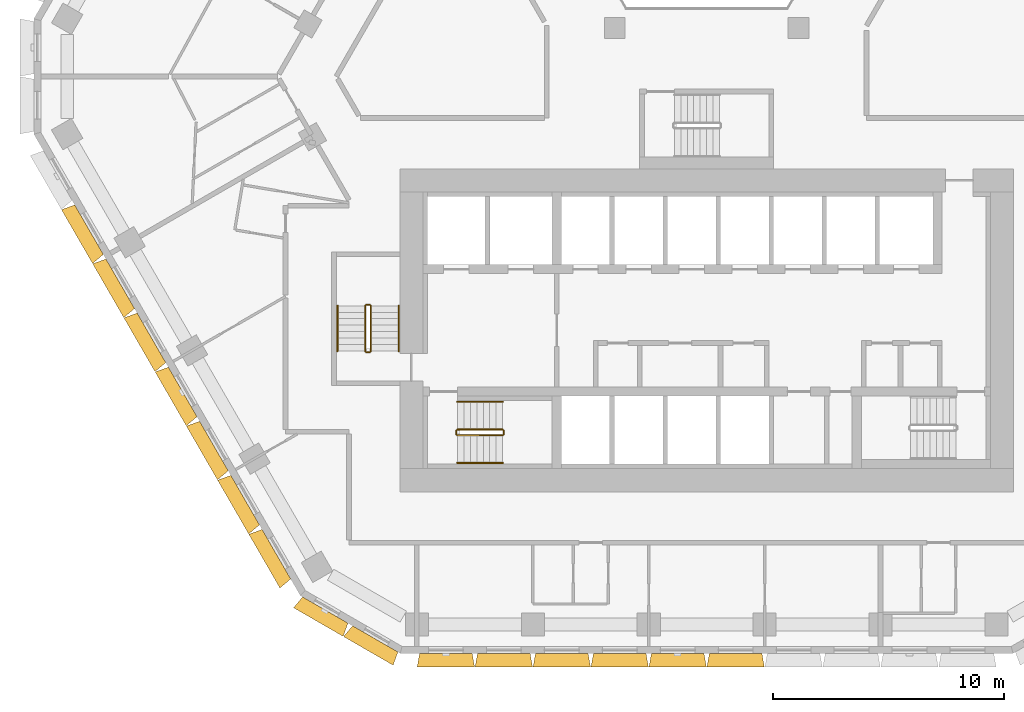
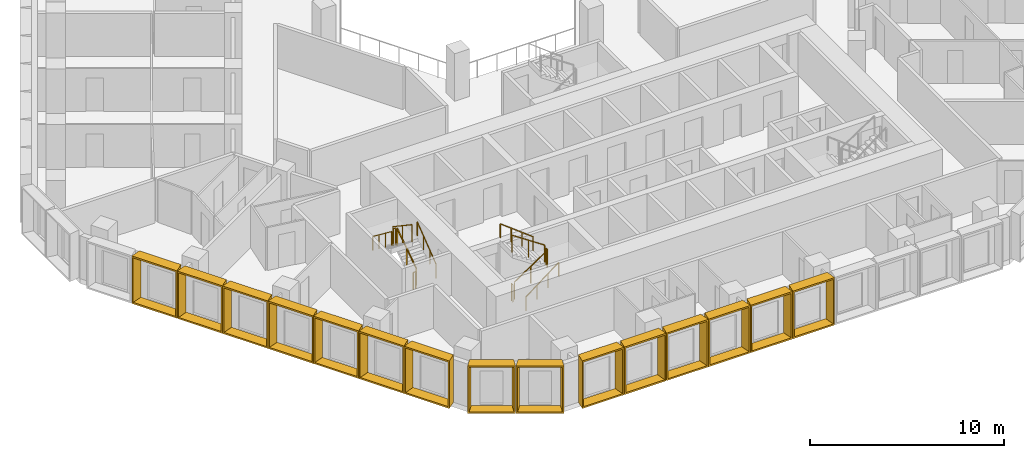
# One storey, part 15 of 18: 15 shading devices, 12 railings.
"""IFC4 building model written with IfcOpenShell, lengths in metres."""

from ifc_helpers import new_model, entity, si_unit, direction, frame, origin, origin_2d, place, context, subcontext, project, spatial, rectangle, extrude, source, transform, mapped, material, type_object, type_shapes, element, save


model = new_model("IFC4")

# Units and contexts
model_context = context("Model", 3, precision=1e-05, world=origin(), true_north=direction((0.0, 1.0)))
body_context = subcontext(model_context, "Body", "Model", "MODEL_VIEW")
ifc_project = project(units=[si_unit("LENGTHUNIT", "METRE"), si_unit("AREAUNIT", "SQUARE_METRE"), si_unit("VOLUMEUNIT", "CUBIC_METRE"), si_unit("PLANEANGLEUNIT", "RADIAN"), si_unit("MASSUNIT", "GRAM", prefix="KILO")], contexts=[model_context])

# Site, building, storey
site_placement = place(None, origin())
site = spatial("IfcSite", under=ifc_project, at=site_placement, CompositionType="ELEMENT")
building_placement = place(site_placement, origin())
building = spatial("IfcBuilding", under=site, at=building_placement, Name="Beryl Residences", CompositionType="ELEMENT")
storey_placement = place(building_placement, frame((0.0, 0.0, 93.0)))
storey = spatial("IfcBuildingStorey", under=building, at=storey_placement, Name="L28", CompositionType="ELEMENT", Elevation=93.0)

# Shading devices
ifc_material_1 = material(Name="Aluminium pale anodised", Category="aluminium")
shading_device_type_1 = type_object("IfcShadingDeviceType", Name="FR250-60A OUTER SKIN frame 600 mm deep, splay 10/10 deg, 2500 x 3000 mm cell", PredefinedType="USERDEFINED", material=ifc_material_1)
cartesian_point_1 = entity("IfcCartesianPoint", [-1.134033203125, 0.0])
cartesian_point_2 = entity("IfcCartesianPoint", [-1.052734375, 0.10009765625])
cartesian_point_3 = entity("IfcCartesianPoint", [-1.23974609375, 0.0])
cartesian_point_4 = entity("IfcCartesianPoint", [-1.158447265625, 0.10009765625])
shared_shape_1 = source(origin(), body_context, "Body", "SweptSolid", [
    entity("IfcExtrudedAreaSolidTapered", entity("IfcArbitraryProfileDefWithVoids", "AREA", None, entity("IfcPolyline", [cartesian_point_1, entity("IfcCartesianPoint", [1.134033203125, 0.0]), entity("IfcCartesianPoint", [1.134033203125, 3.0]), entity("IfcCartesianPoint", [-1.134033203125, 3.0]), cartesian_point_1]), [entity("IfcPolyline", [cartesian_point_2, entity("IfcCartesianPoint", [1.052734375, 0.10009765625]), entity("IfcCartesianPoint", [1.052734375, 2.89990234375]), entity("IfcCartesianPoint", [-1.052734375, 2.89990234375]), cartesian_point_2])]), entity("IfcAxis2Placement3D", entity("IfcCartesianPoint", [0.0, 0.0, 0.0]), entity("IfcDirection", [0.0, 1.0, 0.0]), entity("IfcDirection", [-1.0, 0.0, 0.0])), entity("IfcDirection", [0.0, 0.0, 1.0]), 0.60009765625, entity("IfcArbitraryProfileDefWithVoids", "AREA", None, entity("IfcPolyline", [cartesian_point_3, entity("IfcCartesianPoint", [1.23974609375, 0.0]), entity("IfcCartesianPoint", [1.23974609375, 3.0]), entity("IfcCartesianPoint", [-1.23974609375, 3.0]), cartesian_point_3]), [entity("IfcPolyline", [cartesian_point_4, entity("IfcCartesianPoint", [1.158447265625, 0.10009765625]), entity("IfcCartesianPoint", [1.158447265625, 2.89990234375]), entity("IfcCartesianPoint", [-1.158447265625, 2.89990234375]), cartesian_point_4])])),
])
type_shapes(shading_device_type_1, [shared_shape_1])
for number, where, z_axis, x_axis, name in (
    (1, (-16.527099609375, -24.125, 0.0), (0.0, 0.0, 1.0), (-0.866025403784, 0.5, 0.0), "FR250-60A frame L28 SW-S 1"),
    (2, (-14.361083984375, -25.375, 0.0), (0.0, 0.0, 1.0), (-0.866025403784, 0.5, 0.0), "FR250-60A frame L28 SW-S 2"),
):
    element("IfcShadingDevice", number, at=place(storey_placement, frame(where, z_axis=z_axis, x_axis=x_axis)), inside=storey, type_object=shading_device_type_1, Name=name, ObjectType="OUTER SKIN", PredefinedType="USERDEFINED", context=body_context, shape_type="MappedRepresentation", body=[
        mapped(shared_shape_1, transform((0.0, 0.0, 0.0))),
    ])
ifc_material_2 = material(Name="Aluminium pale anodised", Category="aluminium")
shading_device_type_2 = type_object("IfcShadingDeviceType", Name="FR251-60A OUTER SKIN frame 600 mm deep, splay 10/10 deg, 2510 x 3000 mm cell", PredefinedType="USERDEFINED", material=ifc_material_2)
cartesian_point_5 = entity("IfcCartesianPoint", [-1.138916015625, 0.0])
cartesian_point_6 = entity("IfcCartesianPoint", [-1.057861328125, 0.10009765625])
cartesian_point_7 = entity("IfcCartesianPoint", [-1.244873046875, 0.0])
cartesian_point_8 = entity("IfcCartesianPoint", [-1.16357421875, 0.10009765625])
shared_shape_2 = source(origin(), body_context, "Body", "SweptSolid", [
    entity("IfcExtrudedAreaSolidTapered", entity("IfcArbitraryProfileDefWithVoids", "AREA", None, entity("IfcPolyline", [cartesian_point_5, entity("IfcCartesianPoint", [1.138916015625, 0.0]), entity("IfcCartesianPoint", [1.138916015625, 3.0]), entity("IfcCartesianPoint", [-1.138916015625, 3.0]), cartesian_point_5]), [entity("IfcPolyline", [cartesian_point_6, entity("IfcCartesianPoint", [1.057861328125, 0.10009765625]), entity("IfcCartesianPoint", [1.057861328125, 2.89990234375]), entity("IfcCartesianPoint", [-1.057861328125, 2.89990234375]), cartesian_point_6])]), entity("IfcAxis2Placement3D", entity("IfcCartesianPoint", [0.0, 0.0, 0.0]), entity("IfcDirection", [0.0, 1.0, 0.0]), entity("IfcDirection", [-1.0, 0.0, 0.0])), entity("IfcDirection", [0.0, 0.0, 1.0]), 0.60009765625, entity("IfcArbitraryProfileDefWithVoids", "AREA", None, entity("IfcPolyline", [cartesian_point_7, entity("IfcCartesianPoint", [1.244873046875, 0.0]), entity("IfcCartesianPoint", [1.244873046875, 3.0]), entity("IfcCartesianPoint", [-1.244873046875, 3.0]), cartesian_point_7]), [entity("IfcPolyline", [cartesian_point_8, entity("IfcCartesianPoint", [1.16357421875, 0.10009765625]), entity("IfcCartesianPoint", [1.16357421875, 2.89990234375]), entity("IfcCartesianPoint", [-1.16357421875, 2.89990234375]), cartesian_point_8])])),
])
type_shapes(shading_device_type_2, [shared_shape_2])
for number, where, z_axis, x_axis, name in (
    (3, (-11.301025390625, -26.0, 0.0), (0.0, 0.0, 1.0), (-1.0, 0.0, 0.0), "FR251-60A frame L28 S 1"),
    (4, (-8.7900390625, -26.0, 0.0), (0.0, 0.0, 1.0), (-1.0, 0.0, 0.0), "FR251-60A frame L28 S 2"),
    (5, (-6.278076171875, -26.0, 0.0), (0.0, 0.0, 1.0), (-1.0, 0.0, 0.0), "FR251-60A frame L28 S 3"),
    (6, (-3.76708984375, -26.0, 0.0), (0.0, 0.0, 1.0), (-1.0, 0.0, 0.0), "FR251-60A frame L28 S 4"),
    (7, (-1.2548828125, -26.0, 0.0), (0.0, 0.0, 1.0), (-1.0, 0.0, 0.0), "FR251-60A frame L28 S 5"),
    (8, (1.256103515625, -26.0, 0.0), (0.0, 0.0, 1.0), (-1.0, 0.0, 0.0), "FR251-60A frame L28 S 6"),
):
    element("IfcShadingDevice", number, at=place(storey_placement, frame(where, z_axis=z_axis, x_axis=x_axis)), inside=storey, type_object=shading_device_type_2, Name=name, ObjectType="OUTER SKIN", PredefinedType="USERDEFINED", context=body_context, shape_type="MappedRepresentation", body=[
        mapped(shared_shape_2, transform((0.0, 0.0, 0.0))),
    ])
ifc_material_3 = material(Name="Aluminium pale anodised", Category="aluminium")
shading_device_type_3 = type_object("IfcShadingDeviceType", Name="FR271-60A OUTER SKIN frame 600 mm deep, splay 10/10 deg, 2710 x 3000 mm cell", PredefinedType="USERDEFINED", material=ifc_material_3)
cartesian_point_9 = entity("IfcCartesianPoint", [-1.239013671875, 0.0])
cartesian_point_10 = entity("IfcCartesianPoint", [-1.15771484375, 0.10009765625])
cartesian_point_11 = entity("IfcCartesianPoint", [-1.3447265625, 0.0])
cartesian_point_12 = entity("IfcCartesianPoint", [-1.263671875, 0.10009765625])
shared_shape_3 = source(origin(), body_context, "Body", "SweptSolid", [
    entity("IfcExtrudedAreaSolidTapered", entity("IfcArbitraryProfileDefWithVoids", "AREA", None, entity("IfcPolyline", [cartesian_point_9, entity("IfcCartesianPoint", [1.239013671875, 0.0]), entity("IfcCartesianPoint", [1.239013671875, 3.0]), entity("IfcCartesianPoint", [-1.239013671875, 3.0]), cartesian_point_9]), [entity("IfcPolyline", [cartesian_point_10, entity("IfcCartesianPoint", [1.15771484375, 0.10009765625]), entity("IfcCartesianPoint", [1.15771484375, 2.89990234375]), entity("IfcCartesianPoint", [-1.15771484375, 2.89990234375]), cartesian_point_10])]), entity("IfcAxis2Placement3D", entity("IfcCartesianPoint", [0.0, 0.0, 0.0]), entity("IfcDirection", [0.0, 1.0, 0.0]), entity("IfcDirection", [-1.0, 0.0, 0.0])), entity("IfcDirection", [0.0, 0.0, 1.0]), 0.60009765625, entity("IfcArbitraryProfileDefWithVoids", "AREA", None, entity("IfcPolyline", [cartesian_point_11, entity("IfcCartesianPoint", [1.3447265625, 0.0]), entity("IfcCartesianPoint", [1.3447265625, 3.0]), entity("IfcCartesianPoint", [-1.3447265625, 3.0]), cartesian_point_11]), [entity("IfcPolyline", [cartesian_point_12, entity("IfcCartesianPoint", [1.263671875, 0.10009765625]), entity("IfcCartesianPoint", [1.263671875, 2.89990234375]), entity("IfcCartesianPoint", [-1.263671875, 2.89990234375]), cartesian_point_12])])),
])
type_shapes(shading_device_type_3, [shared_shape_3])
for number, where, z_axis, x_axis, name in (
    (9, (-26.76611328125, -7.639892578125, 0.0), (0.0, 0.0, 1.0), (-0.5, 0.866025403784, 0.0), "FR271-60A frame L28 SW 2"),
    (10, (-25.4130859375, -9.98388671875, 0.0), (0.0, 0.0, 1.0), (-0.5, 0.866025403784, 0.0), "FR271-60A frame L28 SW 3"),
    (11, (-24.06005859375, -12.327880859375, 0.0), (0.0, 0.0, 1.0), (-0.5, 0.866025403784, 0.0), "FR271-60A frame L28 SW 4"),
    (12, (-22.7060546875, -14.672119140625, 0.0), (0.0, 0.0, 1.0), (-0.5, 0.866025403784, 0.0), "FR271-60A frame L28 SW 5"),
    (13, (-21.35302734375, -17.01611328125, 0.0), (0.0, 0.0, 1.0), (-0.5, 0.866025403784, 0.0), "FR271-60A frame L28 SW 6"),
    (14, (-20.0, -19.360107421875, 0.0), (0.0, 0.0, 1.0), (-0.5, 0.866025403784, 0.0), "FR271-60A frame L28 SW 7"),
    (15, (-18.64697265625, -21.7041015625, 0.0), (0.0, 0.0, 1.0), (-0.5, 0.866025403784, 0.0), "FR271-60A frame L28 SW 8"),
):
    element("IfcShadingDevice", number, at=place(storey_placement, frame(where, z_axis=z_axis, x_axis=x_axis)), inside=storey, type_object=shading_device_type_3, Name=name, ObjectType="OUTER SKIN", PredefinedType="USERDEFINED", context=body_context, shape_type="MappedRepresentation", body=[
        mapped(shared_shape_3, transform((0.0, 0.0, 0.0))),
    ])

# Railings
ifc_material_4 = material(Name="Stainless steel balustrade with glass infill", Category="steel")
railing_type_1 = type_object("IfcRailingType", Name="SG1 stair guard 1100 mm", PredefinedType="GUARDRAIL", material=ifc_material_4)
railing_1_placement = place(storey_placement, frame((-10.800048828125, -16.550048828125, 0.1875)))
element("IfcRailing", 16, at=railing_1_placement, inside=storey, type_object=railing_type_1, Name="L28 ST-1 stair guard 1", PredefinedType="GUARDRAIL", context=body_context, shape_type="SweptSolid", body=[
    extrude(rectangle(XDim=0.048095703125, YDim=0.048095703125, at=origin_2d()), frame((0.0, 0.0, 1.076171875), z_axis=(0.830902050051, 0.0, 0.556418712142), x_axis=(0.0, 1.0, 0.0)), (0.0, 0.0, 1.0), 2.35888671875),
    extrude(rectangle(XDim=0.0419921875, YDim=0.0419921875, at=origin_2d()), origin(), (0.0, 0.0, 1.0), 1.052001953125),
    extrude(rectangle(XDim=0.0419921875, YDim=0.0419921875, at=origin_2d()), frame((0.97998046875, 0.0, 0.65625)), (0.0, 0.0, 1.0), 1.052001953125),
    extrude(rectangle(XDim=0.0419921875, YDim=0.0419921875, at=origin_2d()), frame((1.9599609375, 0.0, 1.3125)), (0.0, 0.0, 1.0), 1.052001953125),
])
railing_2_placement = place(storey_placement, frame((-8.7900390625, -16.5, 1.5)))
element("IfcRailing", 17, at=railing_2_placement, inside=storey, type_object=railing_type_1, Name="L28 ST-1 stair guard 2", PredefinedType="GUARDRAIL", context=body_context, shape_type="SweptSolid", body=[
    extrude(rectangle(XDim=0.048095703125, YDim=0.048095703125, at=origin_2d()), frame((0.0, 0.0, 1.076171875), z_axis=(0.0, 1.0, 0.0), x_axis=(-1.0, 0.0, 0.0)), (0.0, 0.0, 1.0), 0.14990234375),
    extrude(rectangle(XDim=0.0419921875, YDim=0.0419921875, at=origin_2d()), origin(), (0.0, 0.0, 1.0), 1.052001953125),
    extrude(rectangle(XDim=0.0419921875, YDim=0.0419921875, at=origin_2d()), frame((0.0, 0.14990234375, 0.0)), (0.0, 0.0, 1.0), 1.052001953125),
])
railing_3_placement = place(storey_placement, frame((-8.840087890625, -16.300048828125, 1.6875)))
element("IfcRailing", 18, at=railing_3_placement, inside=storey, type_object=railing_type_1, Name="L28 ST-1 stair guard 3", PredefinedType="GUARDRAIL", context=body_context, shape_type="SweptSolid", body=[
    extrude(rectangle(XDim=0.048095703125, YDim=0.048095703125, at=origin_2d()), frame((0.0, 0.0, 1.076171875), z_axis=(-0.830902050051, 0.0, 0.556418712142), x_axis=(0.0, -1.0, 0.0)), (0.0, 0.0, 1.0), 2.35888671875),
    extrude(rectangle(XDim=0.0419921875, YDim=0.0419921875, at=origin_2d()), origin(), (0.0, 0.0, 1.0), 1.052001953125),
    extrude(rectangle(XDim=0.0419921875, YDim=0.0419921875, at=origin_2d()), frame((-0.97998046875, 0.0, 0.65625)), (0.0, 0.0, 1.0), 1.052001953125),
    extrude(rectangle(XDim=0.0419921875, YDim=0.0419921875, at=origin_2d()), frame((-1.9599609375, 0.0, 1.3125)), (0.0, 0.0, 1.0), 1.052001953125),
])
railing_4_placement = place(storey_placement, frame((-10.85009765625, -16.5, 0.0)))
element("IfcRailing", 19, at=railing_4_placement, inside=storey, type_object=railing_type_1, Name="L28 ST-1 stair guard 4", PredefinedType="GUARDRAIL", context=body_context, shape_type="SweptSolid", body=[
    extrude(rectangle(XDim=0.048095703125, YDim=0.048095703125, at=origin_2d()), frame((0.0, 0.0, 1.076171875), z_axis=(0.0, 1.0, 0.0), x_axis=(-1.0, 0.0, 0.0)), (0.0, 0.0, 1.0), 0.14990234375),
    extrude(rectangle(XDim=0.0419921875, YDim=0.0419921875, at=origin_2d()), origin(), (0.0, 0.0, 1.0), 1.052001953125),
    extrude(rectangle(XDim=0.0419921875, YDim=0.0419921875, at=origin_2d()), frame((0.0, 0.14990234375, 0.0)), (0.0, 0.0, 1.0), 1.052001953125),
])
railing_5_placement = place(storey_placement, frame((-14.550048828125, -12.89990234375, 0.1875)))
element("IfcRailing", 20, at=railing_5_placement, inside=storey, type_object=railing_type_1, Name="L28 ST-2 stair guard 1", PredefinedType="GUARDRAIL", context=body_context, shape_type="SweptSolid", body=[
    extrude(rectangle(XDim=0.048095703125, YDim=0.048095703125, at=origin_2d()), frame((0.0, 0.0, 1.076171875), z_axis=(0.0, 0.830902050051, 0.556418712142), x_axis=(-1.0, 0.0, 0.0)), (0.0, 0.0, 1.0), 2.35888671875),
    extrude(rectangle(XDim=0.0419921875, YDim=0.0419921875, at=origin_2d()), origin(), (0.0, 0.0, 1.0), 1.052001953125),
    extrude(rectangle(XDim=0.0419921875, YDim=0.0419921875, at=origin_2d()), frame((0.0, 0.97998046875, 0.65625)), (0.0, 0.0, 1.0), 1.052001953125),
    extrude(rectangle(XDim=0.0419921875, YDim=0.0419921875, at=origin_2d()), frame((0.0, 1.9599609375, 1.3125)), (0.0, 0.0, 1.0), 1.052001953125),
])
railing_6_placement = place(storey_placement, frame((-14.60009765625, -10.889892578125, 1.5)))
element("IfcRailing", 21, at=railing_6_placement, inside=storey, type_object=railing_type_1, Name="L28 ST-2 stair guard 2", PredefinedType="GUARDRAIL", context=body_context, shape_type="SweptSolid", body=[
    extrude(rectangle(XDim=0.048095703125, YDim=0.048095703125, at=origin_2d()), frame((0.0, 0.0, 1.076171875), z_axis=(-1.0, 0.0, 0.0), x_axis=(0.0, -1.0, 0.0)), (0.0, 0.0, 1.0), 0.14990234375),
    extrude(rectangle(XDim=0.0419921875, YDim=0.0419921875, at=origin_2d()), origin(), (0.0, 0.0, 1.0), 1.052001953125),
    extrude(rectangle(XDim=0.0419921875, YDim=0.0419921875, at=origin_2d()), frame((-0.14990234375, 0.0, 0.0)), (0.0, 0.0, 1.0), 1.052001953125),
])
railing_7_placement = place(storey_placement, frame((-14.800048828125, -10.93994140625, 1.6875)))
element("IfcRailing", 22, at=railing_7_placement, inside=storey, type_object=railing_type_1, Name="L28 ST-2 stair guard 3", PredefinedType="GUARDRAIL", context=body_context, shape_type="SweptSolid", body=[
    extrude(rectangle(XDim=0.048095703125, YDim=0.048095703125, at=origin_2d()), frame((0.0, 0.0, 1.076171875), z_axis=(0.0, -0.830902050051, 0.556418712142), x_axis=(1.0, 0.0, 0.0)), (0.0, 0.0, 1.0), 2.35888671875),
    extrude(rectangle(XDim=0.0419921875, YDim=0.0419921875, at=origin_2d()), origin(), (0.0, 0.0, 1.0), 1.052001953125),
    extrude(rectangle(XDim=0.0419921875, YDim=0.0419921875, at=origin_2d()), frame((0.0, -0.97998046875, 0.65625)), (0.0, 0.0, 1.0), 1.052001953125),
    extrude(rectangle(XDim=0.0419921875, YDim=0.0419921875, at=origin_2d()), frame((0.0, -1.9599609375, 1.3125)), (0.0, 0.0, 1.0), 1.052001953125),
])
railing_8_placement = place(storey_placement, frame((-14.60009765625, -12.949951171875, 0.0)))
element("IfcRailing", 23, at=railing_8_placement, inside=storey, type_object=railing_type_1, Name="L28 ST-2 stair guard 4", PredefinedType="GUARDRAIL", context=body_context, shape_type="SweptSolid", body=[
    extrude(rectangle(XDim=0.048095703125, YDim=0.048095703125, at=origin_2d()), frame((0.0, 0.0, 1.076171875), z_axis=(-1.0, 0.0, 0.0), x_axis=(0.0, -1.0, 0.0)), (0.0, 0.0, 1.0), 0.14990234375),
    extrude(rectangle(XDim=0.0419921875, YDim=0.0419921875, at=origin_2d()), origin(), (0.0, 0.0, 1.0), 1.052001953125),
    extrude(rectangle(XDim=0.0419921875, YDim=0.0419921875, at=origin_2d()), frame((-0.14990234375, 0.0, 0.0)), (0.0, 0.0, 1.0), 1.052001953125),
])
ifc_material_5 = material(Name="Stainless steel handrail", Category="steel")
railing_type_2 = type_object("IfcRailingType", Name="SRL1 stair handrail 900 mm", PredefinedType="HANDRAIL", material=ifc_material_5)
railing_9_placement = place(storey_placement, frame((-10.800048828125, -17.75, 0.1875)))
element("IfcRailing", 24, at=railing_9_placement, inside=storey, type_object=railing_type_2, Name="L28 ST-1 stair handrail 1", PredefinedType="HANDRAIL", context=body_context, shape_type="SweptSolid", body=[
    extrude(rectangle(XDim=0.048095703125, YDim=0.048095703125, at=origin_2d()), frame((0.0, 0.0, 0.8759765625), z_axis=(0.794121922505, 0.0, 0.607758481798), x_axis=(0.0, 1.0, 0.0)), (0.0, 0.0, 1.0), 2.468017578125),
    extrude(rectangle(XDim=0.0419921875, YDim=0.0419921875, at=origin_2d()), origin(), (0.0, 0.0, 1.0), 0.851806640625),
    extrude(rectangle(XDim=0.0419921875, YDim=0.0419921875, at=origin_2d()), frame((0.6533203125, 0.0, 0.5)), (0.0, 0.0, 1.0), 0.851806640625),
    extrude(rectangle(XDim=0.0419921875, YDim=0.0419921875, at=origin_2d()), frame((1.306640625, 0.0, 1.0)), (0.0, 0.0, 1.0), 0.851806640625),
    extrude(rectangle(XDim=0.0419921875, YDim=0.0419921875, at=origin_2d()), frame((1.9599609375, 0.0, 1.5)), (0.0, 0.0, 1.0), 0.851806640625),
])
railing_10_placement = place(storey_placement, frame((-8.840087890625, -15.10009765625, 1.6875)))
element("IfcRailing", 25, at=railing_10_placement, inside=storey, type_object=railing_type_2, Name="L28 ST-1 stair handrail 2", PredefinedType="HANDRAIL", context=body_context, shape_type="SweptSolid", body=[
    extrude(rectangle(XDim=0.048095703125, YDim=0.048095703125, at=origin_2d()), frame((0.0, 0.0, 0.8759765625), z_axis=(-0.794121922505, 0.0, 0.607758481798), x_axis=(0.0, -1.0, 0.0)), (0.0, 0.0, 1.0), 2.468017578125),
    extrude(rectangle(XDim=0.0419921875, YDim=0.0419921875, at=origin_2d()), origin(), (0.0, 0.0, 1.0), 0.851806640625),
    extrude(rectangle(XDim=0.0419921875, YDim=0.0419921875, at=origin_2d()), frame((-0.6533203125, 0.0, 0.5)), (0.0, 0.0, 1.0), 0.851806640625),
    extrude(rectangle(XDim=0.0419921875, YDim=0.0419921875, at=origin_2d()), frame((-1.306640625, 0.0, 1.0)), (0.0, 0.0, 1.0), 0.851806640625),
    extrude(rectangle(XDim=0.0419921875, YDim=0.0419921875, at=origin_2d()), frame((-1.9599609375, 0.0, 1.5)), (0.0, 0.0, 1.0), 0.851806640625),
])
railing_11_placement = place(storey_placement, frame((-13.35009765625, -12.89990234375, 0.1875)))
element("IfcRailing", 26, at=railing_11_placement, inside=storey, type_object=railing_type_2, Name="L28 ST-2 stair handrail 1", PredefinedType="HANDRAIL", context=body_context, shape_type="SweptSolid", body=[
    extrude(rectangle(XDim=0.048095703125, YDim=0.048095703125, at=origin_2d()), frame((0.0, 0.0, 0.8759765625), z_axis=(0.0, 0.794121922505, 0.607758481798), x_axis=(-1.0, 0.0, 0.0)), (0.0, 0.0, 1.0), 2.468017578125),
    extrude(rectangle(XDim=0.0419921875, YDim=0.0419921875, at=origin_2d()), origin(), (0.0, 0.0, 1.0), 0.851806640625),
    extrude(rectangle(XDim=0.0419921875, YDim=0.0419921875, at=origin_2d()), frame((0.0, 0.6533203125, 0.5)), (0.0, 0.0, 1.0), 0.851806640625),
    extrude(rectangle(XDim=0.0419921875, YDim=0.0419921875, at=origin_2d()), frame((0.0, 1.306640625, 1.0)), (0.0, 0.0, 1.0), 0.851806640625),
    extrude(rectangle(XDim=0.0419921875, YDim=0.0419921875, at=origin_2d()), frame((0.0, 1.9599609375, 1.5)), (0.0, 0.0, 1.0), 0.851806640625),
])
railing_12_placement = place(storey_placement, frame((-16.0, -10.93994140625, 1.6875)))
element("IfcRailing", 27, at=railing_12_placement, inside=storey, type_object=railing_type_2, Name="L28 ST-2 stair handrail 2", PredefinedType="HANDRAIL", context=body_context, shape_type="SweptSolid", body=[
    extrude(rectangle(XDim=0.048095703125, YDim=0.048095703125, at=origin_2d()), frame((0.0, 0.0, 0.8759765625), z_axis=(0.0, -0.794121922505, 0.607758481798), x_axis=(1.0, 0.0, 0.0)), (0.0, 0.0, 1.0), 2.468017578125),
    extrude(rectangle(XDim=0.0419921875, YDim=0.0419921875, at=origin_2d()), origin(), (0.0, 0.0, 1.0), 0.851806640625),
    extrude(rectangle(XDim=0.0419921875, YDim=0.0419921875, at=origin_2d()), frame((0.0, -0.6533203125, 0.5)), (0.0, 0.0, 1.0), 0.851806640625),
    extrude(rectangle(XDim=0.0419921875, YDim=0.0419921875, at=origin_2d()), frame((0.0, -1.306640625, 1.0)), (0.0, 0.0, 1.0), 0.851806640625),
    extrude(rectangle(XDim=0.0419921875, YDim=0.0419921875, at=origin_2d()), frame((0.0, -1.9599609375, 1.5)), (0.0, 0.0, 1.0), 0.851806640625),
])

save(model, "model.ifc")
